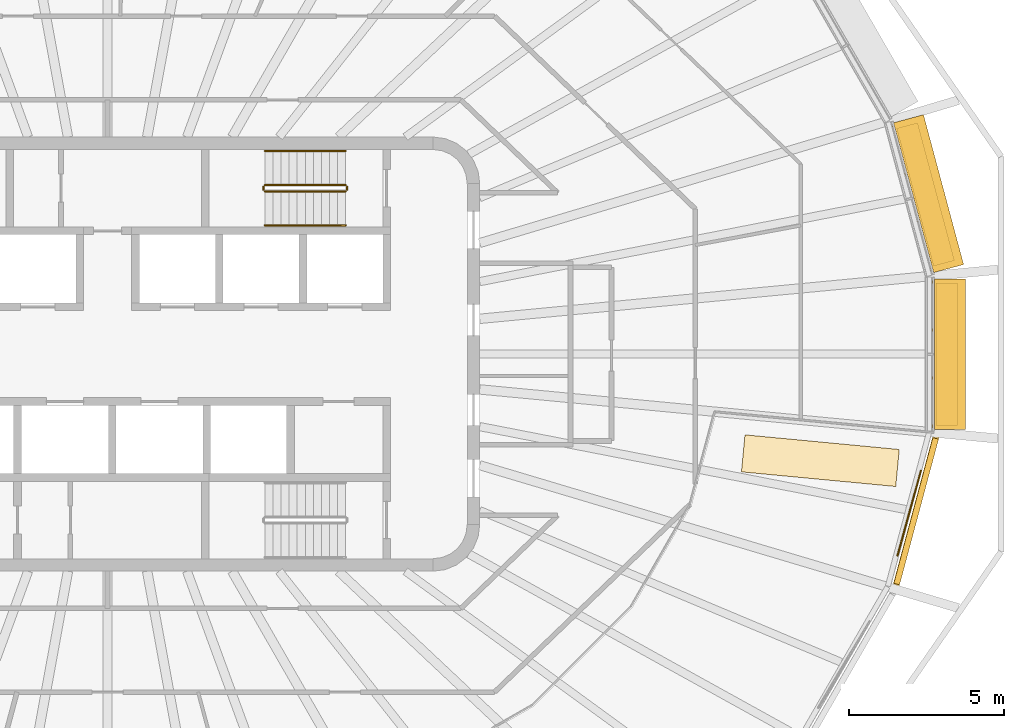
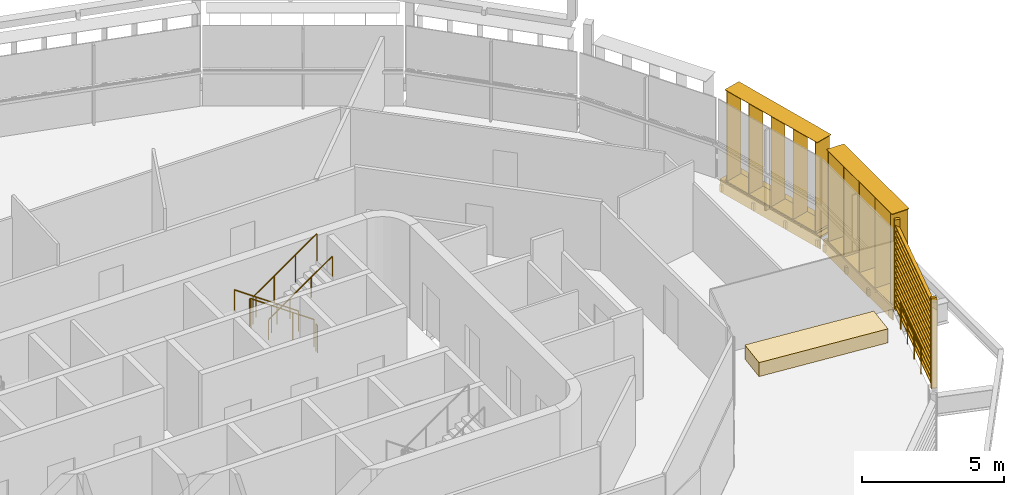
# One storey, part 19 of 21: 7 railings, 5 shading devices, 1 covering.
"""IFC4 building model written with IfcOpenShell, lengths in metres."""

from ifc_helpers import new_model, si_unit, direction, frame, origin, origin_2d, place, context, subcontext, project, spatial, rectangle, circle, extrude, material, type_object, element, save


model = new_model("IFC4")

# Units and contexts
model_context = context("Model", 3, precision=1e-05, world=origin(), true_north=direction((0.0, 1.0)))
body_context = subcontext(model_context, "Body", "Model", "MODEL_VIEW")
ifc_project = project(units=[si_unit("LENGTHUNIT", "METRE"), si_unit("AREAUNIT", "SQUARE_METRE"), si_unit("VOLUMEUNIT", "CUBIC_METRE"), si_unit("PLANEANGLEUNIT", "RADIAN"), si_unit("MASSUNIT", "GRAM", prefix="KILO")], contexts=[model_context])

# Site, building, storey
site_placement = place(None, origin())
site = spatial("IfcSite", under=ifc_project, at=site_placement, CompositionType="ELEMENT")
building_placement = place(site_placement, origin())
building = spatial("IfcBuilding", under=site, at=building_placement, Name="Sahrelin Media Tower", CompositionType="ELEMENT")
storey_placement = place(building_placement, frame((0.0, 0.0, 304.39990234375)))
storey = spatial("IfcBuildingStorey", under=building, at=storey_placement, Name="L67", CompositionType="ELEMENT", Elevation=304.39990234375)

# Shading devices
ifc_material_1 = material(Name="Champagne anodised aluminium 6063-T6", Category="aluminium")
shading_device_type_1 = type_object("IfcShadingDeviceType", Name="Fin cassette", PredefinedType="USERDEFINED", material=ifc_material_1)
placement_1 = place(storey_placement, frame((26.643798828125, 0.0, 0.0), z_axis=(0.0, 0.0, 1.0), x_axis=(0.0, -1.0, 0.0)))
element("IfcShadingDevice", 1, at=placement_1, inside=storey, type_object=shading_device_type_1, Name="L67:FIN:L67-00", ObjectType="FIN", PredefinedType="USERDEFINED", context=body_context, shape_type="SweptSolid", body=[
    extrude(rectangle(XDim=4.60009765625, YDim=0.699951171875, at=origin_2d()), frame((0.0, 0.419921875, 0.0)), (0.0, 0.0, 1.0), 0.02001953125),
    extrude(rectangle(XDim=4.60009765625, YDim=0.699951171875, at=origin_2d()), frame((0.0, 0.419921875, 3.89990234375)), (0.0, 0.0, 1.0), 0.02001953125),
    extrude(rectangle(XDim=0.02001953125, YDim=0.699951171875, at=origin_2d()), frame((-2.199951171875, 0.419921875, 0.010009765625), z_axis=(0.0, 0.0, 1.0), x_axis=(1.0, 0.0, 0.0)), (0.0, 0.0, 1.0), 3.89990234375),
    extrude(rectangle(XDim=0.02001953125, YDim=0.699951171875, at=origin_2d()), frame((-1.10009765625, 0.419921875, 0.010009765625), z_axis=(0.0, 0.0, 1.0), x_axis=(1.0, 0.0, 0.0)), (0.0, 0.0, 1.0), 3.89990234375),
    extrude(rectangle(XDim=0.02001953125, YDim=0.699951171875, at=origin_2d()), frame((0.0, 0.419921875, 0.010009765625), z_axis=(0.0, 0.0, 1.0), x_axis=(1.0, 0.0, 0.0)), (0.0, 0.0, 1.0), 3.89990234375),
    extrude(rectangle(XDim=0.02001953125, YDim=0.699951171875, at=origin_2d()), frame((1.10009765625, 0.419921875, 0.010009765625), z_axis=(0.0, 0.0, 1.0), x_axis=(1.0, 0.0, 0.0)), (0.0, 0.0, 1.0), 3.89990234375),
    extrude(rectangle(XDim=0.02001953125, YDim=0.699951171875, at=origin_2d()), frame((2.199951171875, 0.419921875, 0.010009765625), z_axis=(0.0, 0.0, 1.0), x_axis=(1.0, 0.0, 0.0)), (0.0, 0.0, 1.0), 3.89990234375),
])
placement_2 = place(storey_placement, frame((25.970703125, 5.039306640625, 0.0), z_axis=(0.0, 0.0, 1.0), x_axis=(0.258807731996, -0.965928857556, 0.0)))
element("IfcShadingDevice", 2, at=placement_2, inside=storey, type_object=shading_device_type_1, Name="L67:FIN:L67-01", ObjectType="FIN", PredefinedType="USERDEFINED", context=body_context, shape_type="SweptSolid", body=[
    extrude(rectangle(XDim=4.60009765625, YDim=0.699951171875, at=origin_2d()), frame((0.0, 0.419921875, 0.0)), (0.0, 0.0, 1.0), 0.02001953125),
    extrude(rectangle(XDim=4.60009765625, YDim=0.699951171875, at=origin_2d()), frame((0.0, 0.419921875, 3.89990234375)), (0.0, 0.0, 1.0), 0.02001953125),
    extrude(rectangle(XDim=0.02001953125, YDim=0.699951171875, at=origin_2d()), frame((-2.199951171875, 0.419921875, 0.010009765625), z_axis=(0.0, 0.0, 1.0), x_axis=(1.0, 0.0, 0.0)), (0.0, 0.0, 1.0), 3.89990234375),
    extrude(rectangle(XDim=0.02001953125, YDim=0.699951171875, at=origin_2d()), frame((-1.10009765625, 0.419921875, 0.010009765625), z_axis=(0.0, 0.0, 1.0), x_axis=(1.0, 0.0, 0.0)), (0.0, 0.0, 1.0), 3.89990234375),
    extrude(rectangle(XDim=0.02001953125, YDim=0.699951171875, at=origin_2d()), frame((0.0, 0.419921875, 0.010009765625), z_axis=(0.0, 0.0, 1.0), x_axis=(1.0, 0.0, 0.0)), (0.0, 0.0, 1.0), 3.89990234375),
    extrude(rectangle(XDim=0.02001953125, YDim=0.699951171875, at=origin_2d()), frame((1.10009765625, 0.419921875, 0.010009765625), z_axis=(0.0, 0.0, 1.0), x_axis=(1.0, 0.0, 0.0)), (0.0, 0.0, 1.0), 3.89990234375),
    extrude(rectangle(XDim=0.02001953125, YDim=0.699951171875, at=origin_2d()), frame((2.199951171875, 0.419921875, 0.010009765625), z_axis=(0.0, 0.0, 1.0), x_axis=(1.0, 0.0, 0.0)), (0.0, 0.0, 1.0), 3.89990234375),
])
shading_device_type_2 = type_object("IfcShadingDeviceType", Name="Garden screen", PredefinedType="USERDEFINED", material=ifc_material_1)
shading_device_3_placement = place(storey_placement, frame((25.970703125, -5.039306640625, 0.0), z_axis=(0.0, 0.0, 1.0), x_axis=(-0.258807731996, -0.965928857556, 0.0)))
element("IfcShadingDevice", 3, at=shading_device_3_placement, inside=storey, type_object=shading_device_type_2, Name="L67:SCREEN:L67-23", ObjectType="SCREEN", PredefinedType="USERDEFINED", context=body_context, shape_type="SweptSolid", body=[
    extrude(rectangle(XDim=0.1201171875, YDim=0.199951171875, at=origin_2d()), frame((2.490478515625, 0.10009765625, 0.050048828125), z_axis=(0.0, 0.0, 1.0), x_axis=(1.0, 0.0, 0.0)), (0.0, 0.0, 1.0), 3.89990234375),
    extrude(rectangle(XDim=0.1201171875, YDim=0.199951171875, at=origin_2d()), frame((-2.490478515625, 0.10009765625, 0.050048828125), z_axis=(0.0, 0.0, 1.0), x_axis=(1.0, 0.0, 0.0)), (0.0, 0.0, 1.0), 3.89990234375),
    extrude(rectangle(XDim=0.25, YDim=0.02001953125, at=origin_2d()), frame((2.430419921875, 0.10009765625, 0.14990234375), z_axis=(-1.0, 0.0, 0.0), x_axis=(0.0, -0.766044443119, 0.642787609687)), (0.0, 0.0, 1.0), 4.86083984375),
    extrude(rectangle(XDim=0.25, YDim=0.02001953125, at=origin_2d()), frame((2.430419921875, 0.10009765625, 0.39990234375), z_axis=(-1.0, 0.0, 0.0), x_axis=(0.0, -0.766044443119, 0.642787609687)), (0.0, 0.0, 1.0), 4.86083984375),
    extrude(rectangle(XDim=0.25, YDim=0.02001953125, at=origin_2d()), frame((2.430419921875, 0.10009765625, 0.64990234375), z_axis=(-1.0, 0.0, 0.0), x_axis=(0.0, -0.766044443119, 0.642787609687)), (0.0, 0.0, 1.0), 4.86083984375),
    extrude(rectangle(XDim=0.25, YDim=0.02001953125, at=origin_2d()), frame((2.430419921875, 0.10009765625, 0.89990234375), z_axis=(-1.0, 0.0, 0.0), x_axis=(0.0, -0.766044443119, 0.642787609687)), (0.0, 0.0, 1.0), 4.86083984375),
    extrude(rectangle(XDim=0.25, YDim=0.02001953125, at=origin_2d()), frame((2.430419921875, 0.10009765625, 1.14990234375), z_axis=(-1.0, 0.0, 0.0), x_axis=(0.0, -0.766044443119, 0.642787609687)), (0.0, 0.0, 1.0), 4.86083984375),
    extrude(rectangle(XDim=0.25, YDim=0.02001953125, at=origin_2d()), frame((2.430419921875, 0.10009765625, 1.39990234375), z_axis=(-1.0, 0.0, 0.0), x_axis=(0.0, -0.766044443119, 0.642787609687)), (0.0, 0.0, 1.0), 4.86083984375),
    extrude(rectangle(XDim=0.25, YDim=0.02001953125, at=origin_2d()), frame((2.430419921875, 0.10009765625, 1.64990234375), z_axis=(-1.0, 0.0, 0.0), x_axis=(0.0, -0.766044443119, 0.642787609687)), (0.0, 0.0, 1.0), 4.86083984375),
    extrude(rectangle(XDim=0.25, YDim=0.02001953125, at=origin_2d()), frame((2.430419921875, 0.10009765625, 1.89990234375), z_axis=(-1.0, 0.0, 0.0), x_axis=(0.0, -0.766044443119, 0.642787609687)), (0.0, 0.0, 1.0), 4.86083984375),
    extrude(rectangle(XDim=0.25, YDim=0.02001953125, at=origin_2d()), frame((2.430419921875, 0.10009765625, 2.14990234375), z_axis=(-1.0, 0.0, 0.0), x_axis=(0.0, -0.766044443119, 0.642787609687)), (0.0, 0.0, 1.0), 4.86083984375),
    extrude(rectangle(XDim=0.25, YDim=0.02001953125, at=origin_2d()), frame((2.430419921875, 0.10009765625, 2.39990234375), z_axis=(-1.0, 0.0, 0.0), x_axis=(0.0, -0.766044443119, 0.642787609687)), (0.0, 0.0, 1.0), 4.86083984375),
    extrude(rectangle(XDim=0.25, YDim=0.02001953125, at=origin_2d()), frame((2.430419921875, 0.10009765625, 2.64990234375), z_axis=(-1.0, 0.0, 0.0), x_axis=(0.0, -0.766044443119, 0.642787609687)), (0.0, 0.0, 1.0), 4.86083984375),
    extrude(rectangle(XDim=0.25, YDim=0.02001953125, at=origin_2d()), frame((2.430419921875, 0.10009765625, 2.89990234375), z_axis=(-1.0, 0.0, 0.0), x_axis=(0.0, -0.766044443119, 0.642787609687)), (0.0, 0.0, 1.0), 4.86083984375),
    extrude(rectangle(XDim=0.25, YDim=0.02001953125, at=origin_2d()), frame((2.430419921875, 0.10009765625, 3.14990234375), z_axis=(-1.0, 0.0, 0.0), x_axis=(0.0, -0.766044443119, 0.642787609687)), (0.0, 0.0, 1.0), 4.86083984375),
    extrude(rectangle(XDim=0.25, YDim=0.02001953125, at=origin_2d()), frame((2.430419921875, 0.10009765625, 3.39990234375), z_axis=(-1.0, 0.0, 0.0), x_axis=(0.0, -0.766044443119, 0.642787609687)), (0.0, 0.0, 1.0), 4.86083984375),
    extrude(rectangle(XDim=0.25, YDim=0.02001953125, at=origin_2d()), frame((2.430419921875, 0.10009765625, 3.64990234375), z_axis=(-1.0, 0.0, 0.0), x_axis=(0.0, -0.766044443119, 0.642787609687)), (0.0, 0.0, 1.0), 4.86083984375),
])

# Railing
ifc_material_2 = material(Name="Stainless steel 316", Category="steel")
railing_type_1 = type_object("IfcRailingType", Name="Sky garden guard", PredefinedType="GUARDRAIL", material=ifc_material_2)
railing_1_placement = place(storey_placement, frame((25.47314453125, -6.493408203125, 0.0)))
element("IfcRailing", 4, at=railing_1_placement, inside=storey, type_object=railing_type_1, Name="Sky garden guard G6-4", PredefinedType="GUARDRAIL", context=body_context, shape_type="SweptSolid", body=[
    extrude(circle(Radius=0.02392578125, at=origin_2d()), frame((0.0, 0.0, 1.17578125), z_axis=(0.265915196609, 0.963996425415, 0.0), x_axis=(-0.963996425415, 0.265915196609, 0.0)), (0.0, 0.0, 1.0), 2.834228515625),
    extrude(circle(Radius=0.02099609375, at=origin_2d()), origin(), (0.0, 0.0, 1.0), 1.15185546875),
    extrude(circle(Radius=0.02099609375, at=origin_2d()), frame((0.251220703125, 0.91064453125, 0.0)), (0.0, 0.0, 1.0), 1.15185546875),
    extrude(circle(Radius=0.02099609375, at=origin_2d()), frame((0.50244140625, 1.821533203125, 0.0)), (0.0, 0.0, 1.0), 1.15185546875),
    extrude(circle(Radius=0.02099609375, at=origin_2d()), frame((0.753662109375, 2.732177734375, 0.0)), (0.0, 0.0, 1.0), 1.15185546875),
])

# Covering
ifc_material_3 = material(Name="Planting and soil")
covering_type = type_object("IfcCoveringType", Name="Sky garden planter", PredefinedType="USERDEFINED", material=ifc_material_3)
covering_placement = place(storey_placement, frame((22.983642578125, -3.435791015625, 0.0400390625), z_axis=(0.0, 0.0, 1.0), x_axis=(0.995531196831, -0.0944332364, 0.0)))
element("IfcCovering", 5, at=covering_placement, inside=storey, type_object=covering_type, Name="Sky garden planter G6-2", ObjectType="PLANTER", PredefinedType="USERDEFINED", context=body_context, shape_type="SweptSolid", body=[
    extrude(rectangle(XDim=4.99755859375, YDim=1.199951171875, at=origin_2d()), origin(), (0.0, 0.0, 1.0), 0.60009765625),
])

# Railings
ifc_material_4 = material(Name="Steel S355", Category="steel")
railing_type_2 = type_object("IfcRailingType", Name="Stair guard 1200", PredefinedType="GUARDRAIL", material=ifc_material_4)
railing_2_placement = place(storey_placement, frame((7.675048828125, 5.449951171875, 0.181884765625)))
element("IfcRailing", 6, at=railing_2_placement, inside=storey, type_object=railing_type_2, Name="L67 ST3 stair guard 1", PredefinedType="GUARDRAIL", context=body_context, shape_type="SweptSolid", body=[
    extrude(circle(Radius=0.02392578125, at=origin_2d()), frame((0.0, 0.0, 1.17578125), z_axis=(-0.819521025635, 0.0, 0.573049115296), x_axis=(0.0, -1.0, 0.0)), (0.0, 0.0, 1.0), 3.172607421875),
    extrude(circle(Radius=0.02099609375, at=origin_2d()), origin(), (0.0, 0.0, 1.0), 1.15185546875),
    extrude(circle(Radius=0.02099609375, at=origin_2d()), frame((-0.86669921875, 0.0, 0.60595703125)), (0.0, 0.0, 1.0), 1.15185546875),
    extrude(circle(Radius=0.02099609375, at=origin_2d()), frame((-1.7333984375, 0.0, 1.212158203125)), (0.0, 0.0, 1.0), 1.15185546875),
    extrude(circle(Radius=0.02099609375, at=origin_2d()), frame((-2.60009765625, 0.0, 1.818115234375)), (0.0, 0.0, 1.0), 1.15185546875),
])
railing_3_placement = place(storey_placement, frame((5.02490234375, 5.39990234375, 2.0)))
element("IfcRailing", 7, at=railing_3_placement, inside=storey, type_object=railing_type_2, Name="L67 ST3 stair guard 2", PredefinedType="GUARDRAIL", context=body_context, shape_type="SweptSolid", body=[
    extrude(circle(Radius=0.02392578125, at=origin_2d()), frame((0.0, 0.0, 1.17578125), z_axis=(0.0, -1.0, 0.0), x_axis=(1.0, 0.0, 0.0)), (0.0, 0.0, 1.0), 0.099853515625),
    extrude(circle(Radius=0.02099609375, at=origin_2d()), origin(), (0.0, 0.0, 1.0), 1.15185546875),
    extrude(circle(Radius=0.02099609375, at=origin_2d()), frame((0.0, -0.099853515625, 0.0)), (0.0, 0.0, 1.0), 1.15185546875),
])
railing_4_placement = place(storey_placement, frame((5.074951171875, 5.25, 2.181884765625)))
element("IfcRailing", 8, at=railing_4_placement, inside=storey, type_object=railing_type_2, Name="L67 ST3 stair guard 3", PredefinedType="GUARDRAIL", context=body_context, shape_type="SweptSolid", body=[
    extrude(circle(Radius=0.02392578125, at=origin_2d()), frame((0.0, 0.0, 1.17578125), z_axis=(0.819521025635, 0.0, 0.573049115296), x_axis=(0.0, 1.0, 0.0)), (0.0, 0.0, 1.0), 3.172607421875),
    extrude(circle(Radius=0.02099609375, at=origin_2d()), origin(), (0.0, 0.0, 1.0), 1.15185546875),
    extrude(circle(Radius=0.02099609375, at=origin_2d()), frame((0.86669921875, 0.0, 0.60595703125)), (0.0, 0.0, 1.0), 1.15185546875),
    extrude(circle(Radius=0.02099609375, at=origin_2d()), frame((1.7333984375, 0.0, 1.212158203125)), (0.0, 0.0, 1.0), 1.15185546875),
    extrude(circle(Radius=0.02099609375, at=origin_2d()), frame((2.60009765625, 0.0, 1.818115234375)), (0.0, 0.0, 1.0), 1.15185546875),
])
railing_5_placement = place(storey_placement, frame((7.72509765625, 5.39990234375, 0.0)))
element("IfcRailing", 9, at=railing_5_placement, inside=storey, type_object=railing_type_2, Name="L67 ST3 stair guard 4", PredefinedType="GUARDRAIL", context=body_context, shape_type="SweptSolid", body=[
    extrude(circle(Radius=0.02392578125, at=origin_2d()), frame((0.0, 0.0, 1.17578125), z_axis=(0.0, -1.0, 0.0), x_axis=(1.0, 0.0, 0.0)), (0.0, 0.0, 1.0), 0.099853515625),
    extrude(circle(Radius=0.02099609375, at=origin_2d()), origin(), (0.0, 0.0, 1.0), 1.15185546875),
    extrude(circle(Radius=0.02099609375, at=origin_2d()), frame((0.0, -0.099853515625, 0.0)), (0.0, 0.0, 1.0), 1.15185546875),
])
railing_type_3 = type_object("IfcRailingType", Name="Stair handrail 900", PredefinedType="HANDRAIL", material=ifc_material_4)
railing_6_placement = place(storey_placement, frame((7.675048828125, 6.550048828125, 0.181884765625)))
element("IfcRailing", 10, at=railing_6_placement, inside=storey, type_object=railing_type_3, Name="L67 ST3 stair handrail 1", PredefinedType="HANDRAIL", context=body_context, shape_type="SweptSolid", body=[
    extrude(circle(Radius=0.02392578125, at=origin_2d()), frame((0.0, 0.0, 0.8759765625), z_axis=(-0.819521025635, 0.0, 0.573049115296), x_axis=(0.0, -1.0, 0.0)), (0.0, 0.0, 1.0), 3.172607421875),
    extrude(circle(Radius=0.02099609375, at=origin_2d()), origin(), (0.0, 0.0, 1.0), 0.851806640625),
    extrude(circle(Radius=0.02099609375, at=origin_2d()), frame((-0.86669921875, 0.0, 0.60595703125)), (0.0, 0.0, 1.0), 0.851806640625),
    extrude(circle(Radius=0.02099609375, at=origin_2d()), frame((-1.7333984375, 0.0, 1.212158203125)), (0.0, 0.0, 1.0), 0.851806640625),
    extrude(circle(Radius=0.02099609375, at=origin_2d()), frame((-2.60009765625, 0.0, 1.818115234375)), (0.0, 0.0, 1.0), 0.851806640625),
])
railing_7_placement = place(storey_placement, frame((5.074951171875, 4.14990234375, 2.181884765625)))
element("IfcRailing", 11, at=railing_7_placement, inside=storey, type_object=railing_type_3, Name="L67 ST3 stair handrail 2", PredefinedType="HANDRAIL", context=body_context, shape_type="SweptSolid", body=[
    extrude(circle(Radius=0.02392578125, at=origin_2d()), frame((0.0, 0.0, 0.8759765625), z_axis=(0.819521025635, 0.0, 0.573049115296), x_axis=(0.0, 1.0, 0.0)), (0.0, 0.0, 1.0), 3.172607421875),
    extrude(circle(Radius=0.02099609375, at=origin_2d()), origin(), (0.0, 0.0, 1.0), 0.851806640625),
    extrude(circle(Radius=0.02099609375, at=origin_2d()), frame((0.86669921875, 0.0, 0.60595703125)), (0.0, 0.0, 1.0), 0.851806640625),
    extrude(circle(Radius=0.02099609375, at=origin_2d()), frame((1.7333984375, 0.0, 1.212158203125)), (0.0, 0.0, 1.0), 0.851806640625),
    extrude(circle(Radius=0.02099609375, at=origin_2d()), frame((2.60009765625, 0.0, 1.818115234375)), (0.0, 0.0, 1.0), 0.851806640625),
])

# Shading devices
shading_device_type_3 = type_object("IfcShadingDeviceType", Name="Sunshade band", PredefinedType="USERDEFINED", material=ifc_material_1)
element("IfcShadingDevice", 12, at=placement_1, inside=storey, type_object=shading_device_type_3, Name="L67:SUN:L67-00", ObjectType="SUNSHADE", PredefinedType="USERDEFINED", context=body_context, shape_type="SweptSolid", body=[
    extrude(rectangle(XDim=4.8544921875, YDim=0.050048828125, at=origin_2d()), frame((0.0, 0.044921875, -0.55126953125)), (0.0, 0.0, 1.0), 0.471435546875),
    extrude(rectangle(XDim=4.8544921875, YDim=1.0, at=origin_2d()), frame((0.0, 0.52001953125, -0.080078125)), (0.0, 0.0, 1.0), 0.080078125),
    extrude(rectangle(XDim=0.10009765625, YDim=0.074951171875, at=origin_2d()), frame((-2.327392578125, -0.017578125, -0.47021484375)), (0.0, 0.0, 1.0), 0.300048828125),
    extrude(rectangle(XDim=0.10009765625, YDim=0.074951171875, at=origin_2d()), frame((-0.77587890625, -0.017578125, -0.47021484375)), (0.0, 0.0, 1.0), 0.300048828125),
    extrude(rectangle(XDim=0.10009765625, YDim=0.074951171875, at=origin_2d()), frame((0.77587890625, -0.017578125, -0.47021484375)), (0.0, 0.0, 1.0), 0.300048828125),
    extrude(rectangle(XDim=0.10009765625, YDim=0.074951171875, at=origin_2d()), frame((2.327392578125, -0.017578125, -0.47021484375)), (0.0, 0.0, 1.0), 0.300048828125),
])
element("IfcShadingDevice", 13, at=placement_2, inside=storey, type_object=shading_device_type_3, Name="L67:SUN:L67-01", ObjectType="SUNSHADE", PredefinedType="USERDEFINED", context=body_context, shape_type="SweptSolid", body=[
    extrude(rectangle(XDim=5.0009765625, YDim=0.050048828125, at=origin_2d()), frame((0.0, 0.044921875, -0.55126953125)), (0.0, 0.0, 1.0), 0.471435546875),
    extrude(rectangle(XDim=5.0009765625, YDim=1.0, at=origin_2d()), frame((0.0, 0.52001953125, -0.080078125)), (0.0, 0.0, 1.0), 0.080078125),
    extrude(rectangle(XDim=0.10009765625, YDim=0.074951171875, at=origin_2d()), frame((-2.400390625, -0.017578125, -0.47021484375)), (0.0, 0.0, 1.0), 0.300048828125),
    extrude(rectangle(XDim=0.10009765625, YDim=0.074951171875, at=origin_2d()), frame((-0.80029296875, -0.017578125, -0.47021484375)), (0.0, 0.0, 1.0), 0.300048828125),
    extrude(rectangle(XDim=0.10009765625, YDim=0.074951171875, at=origin_2d()), frame((0.80029296875, -0.017578125, -0.47021484375)), (0.0, 0.0, 1.0), 0.300048828125),
    extrude(rectangle(XDim=0.10009765625, YDim=0.074951171875, at=origin_2d()), frame((2.400390625, -0.017578125, -0.47021484375)), (0.0, 0.0, 1.0), 0.300048828125),
])

save(model, "model.ifc")
